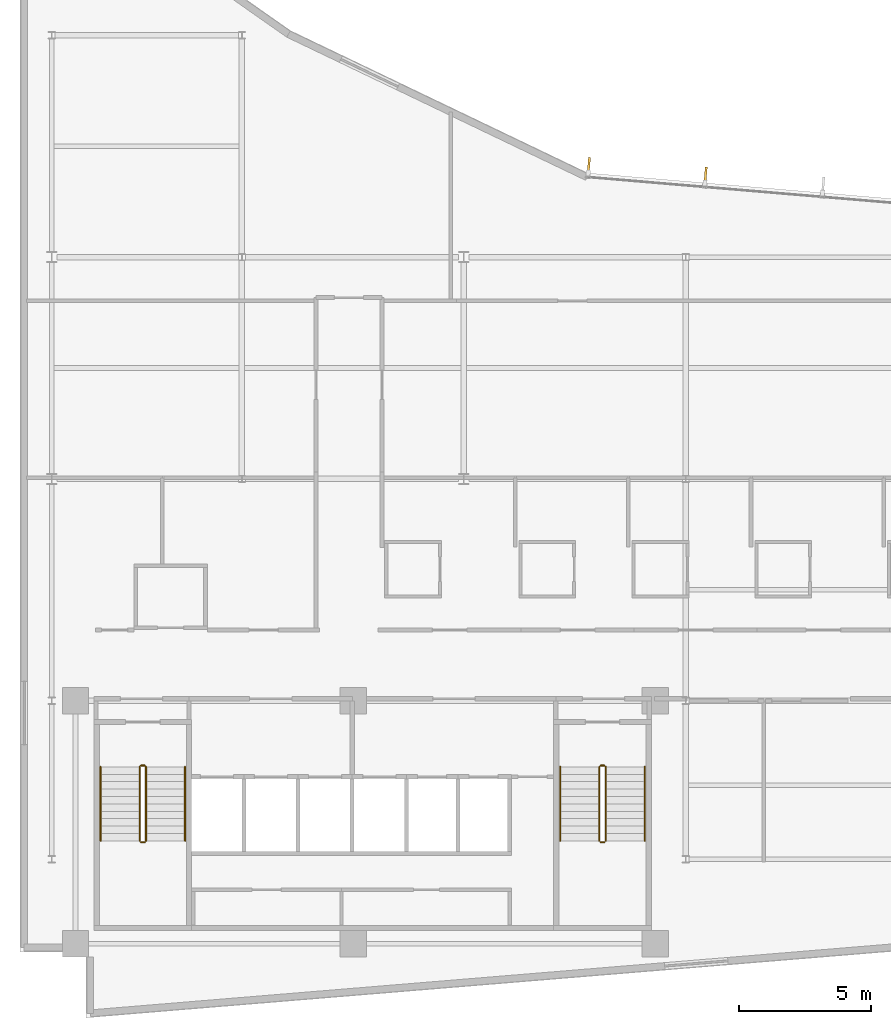
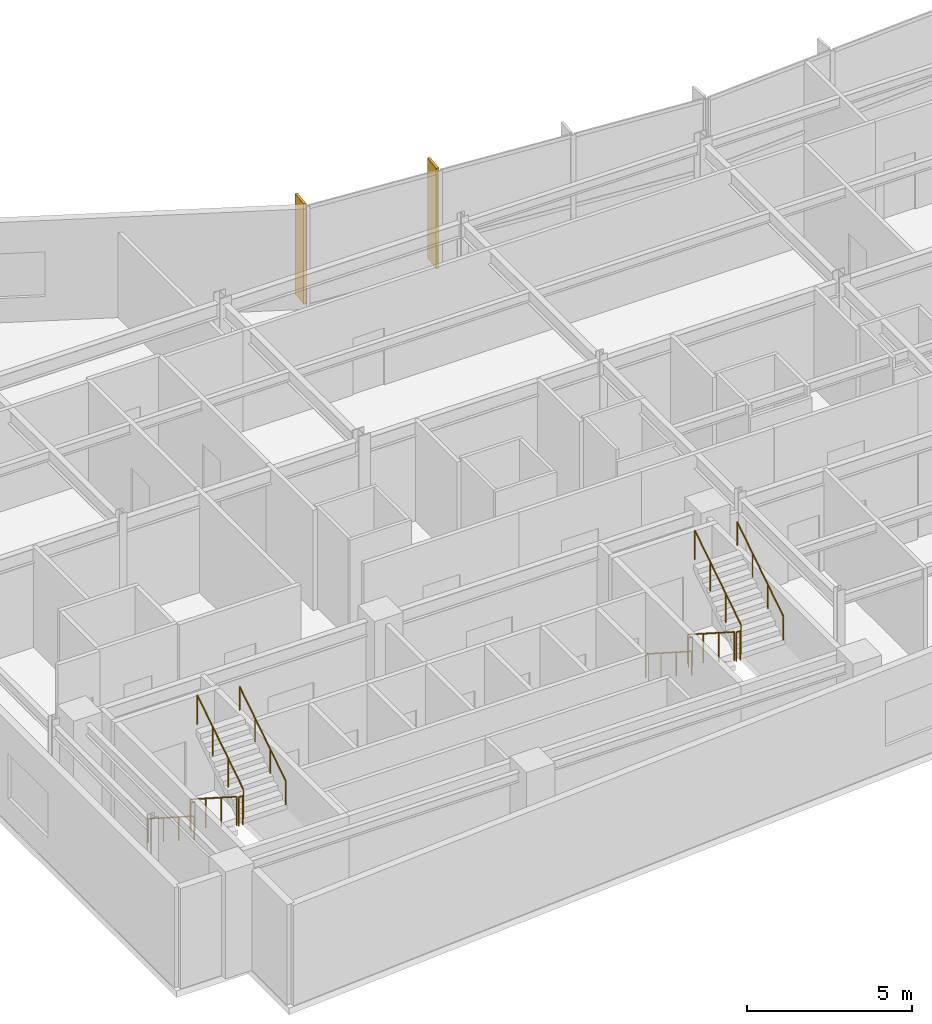
# One storey, part 13 of 15: 12 railings, 2 shading devices.
"""IFC4 building model written with IfcOpenShell, lengths in metres."""

from ifc_helpers import new_model, si_unit, direction, frame, origin, origin_2d, place, context, subcontext, project, spatial, rectangle, circle, extrude, material, layer, layer_set, type_object, element, save


model = new_model("IFC4")

# Units and contexts
model_context = context("Model", 3, precision=1e-05, world=origin(), true_north=direction((0.0, 1.0)))
body_context = subcontext(model_context, "Body", "Model", "MODEL_VIEW")
ifc_project = project(units=[si_unit("LENGTHUNIT", "METRE"), si_unit("AREAUNIT", "SQUARE_METRE"), si_unit("VOLUMEUNIT", "CUBIC_METRE"), si_unit("PLANEANGLEUNIT", "RADIAN"), si_unit("MASSUNIT", "GRAM", prefix="KILO")], contexts=[model_context])

# Site, building, storey
site_placement = place(None, origin())
site = spatial("IfcSite", under=ifc_project, at=site_placement, CompositionType="ELEMENT")
building_placement = place(site_placement, origin())
building = spatial("IfcBuilding", under=site, at=building_placement, Name="Varnakote Quay Hospital", CompositionType="ELEMENT")
storey_placement = place(building_placement, frame((0.0, 0.0, 192.10009765625)))
storey = spatial("IfcBuildingStorey", under=building, at=storey_placement, Name="L47", CompositionType="ELEMENT", Elevation=192.10009765625)

# Railings
ifc_material_1 = material(Name="Brushed stainless steel balustrade", Category="steel")
railing_type_1 = type_object("IfcRailingType", Name="RLG-STAIR-GUARD-1150", PredefinedType="GUARDRAIL", material=ifc_material_1)
railing_1_placement = place(storey_placement, frame((4.530029296875, 9.5, 0.179443359375)))
element("IfcRailing", 1, at=railing_1_placement, inside=storey, type_object=railing_type_1, Name="L47 ST-01 stair guard 1", PredefinedType="GUARDRAIL", context=body_context, shape_type="SweptSolid", body=[
    extrude(circle(Radius=0.02392578125, at=origin_2d()), frame((0.0, 0.0, 1.076171875), z_axis=(0.0, -0.841809871826, 0.539774156196), x_axis=(1.0, 0.0, 0.0)), (0.0, 0.0, 1.0), 3.326171875),
    extrude(circle(Radius=0.02099609375, at=origin_2d()), origin(), (0.0, 0.0, 1.0), 1.052001953125),
    extrude(circle(Radius=0.02099609375, at=origin_2d()), frame((0.0, -0.933349609375, 0.598388671875)), (0.0, 0.0, 1.0), 1.052001953125),
    extrude(circle(Radius=0.02099609375, at=origin_2d()), frame((0.0, -1.86669921875, 1.197021484375)), (0.0, 0.0, 1.0), 1.052001953125),
    extrude(circle(Radius=0.02099609375, at=origin_2d()), frame((0.0, -2.800048828125, 1.79541015625)), (0.0, 0.0, 1.0), 1.052001953125),
])
railing_2_placement = place(storey_placement, frame((4.580078125, 6.64990234375, 1.974853515625)))
element("IfcRailing", 2, at=railing_2_placement, inside=storey, type_object=railing_type_1, Name="L47 ST-01 stair guard 2", PredefinedType="GUARDRAIL", context=body_context, shape_type="SweptSolid", body=[
    extrude(circle(Radius=0.02392578125, at=origin_2d()), frame((0.0, 0.0, 1.076171875), z_axis=(1.0, 0.0, 0.0), x_axis=(0.0, 1.0, 0.0)), (0.0, 0.0, 1.0), 0.139892578125),
    extrude(circle(Radius=0.02099609375, at=origin_2d()), origin(), (0.0, 0.0, 1.0), 1.052001953125),
    extrude(circle(Radius=0.02099609375, at=origin_2d()), frame((0.139892578125, 0.0, 0.0)), (0.0, 0.0, 1.0), 1.052001953125),
])
railing_3_placement = place(storey_placement, frame((4.77001953125, 6.699951171875, 2.154541015625)))
element("IfcRailing", 3, at=railing_3_placement, inside=storey, type_object=railing_type_1, Name="L47 ST-01 stair guard 3", PredefinedType="GUARDRAIL", context=body_context, shape_type="SweptSolid", body=[
    extrude(circle(Radius=0.02392578125, at=origin_2d()), frame((0.0, 0.0, 1.076171875), z_axis=(0.0, 0.841809871826, 0.539774156196), x_axis=(-1.0, 0.0, 0.0)), (0.0, 0.0, 1.0), 3.326171875),
    extrude(circle(Radius=0.02099609375, at=origin_2d()), origin(), (0.0, 0.0, 1.0), 1.052001953125),
    extrude(circle(Radius=0.02099609375, at=origin_2d()), frame((0.0, 0.933349609375, 0.598388671875)), (0.0, 0.0, 1.0), 1.052001953125),
    extrude(circle(Radius=0.02099609375, at=origin_2d()), frame((0.0, 1.86669921875, 1.197021484375)), (0.0, 0.0, 1.0), 1.052001953125),
    extrude(circle(Radius=0.02099609375, at=origin_2d()), frame((0.0, 2.800048828125, 1.79541015625)), (0.0, 0.0, 1.0), 1.052001953125),
])
railing_4_placement = place(storey_placement, frame((4.580078125, 9.550048828125, 0.0)))
element("IfcRailing", 4, at=railing_4_placement, inside=storey, type_object=railing_type_1, Name="L47 ST-01 stair guard 4", PredefinedType="GUARDRAIL", context=body_context, shape_type="SweptSolid", body=[
    extrude(circle(Radius=0.02392578125, at=origin_2d()), frame((0.0, 0.0, 1.076171875), z_axis=(1.0, 0.0, 0.0), x_axis=(0.0, 1.0, 0.0)), (0.0, 0.0, 1.0), 0.139892578125),
    extrude(circle(Radius=0.02099609375, at=origin_2d()), origin(), (0.0, 0.0, 1.0), 1.052001953125),
    extrude(circle(Radius=0.02099609375, at=origin_2d()), frame((0.139892578125, 0.0, 0.0)), (0.0, 0.0, 1.0), 1.052001953125),
])
railing_5_placement = place(storey_placement, frame((21.929931640625, 9.5, 0.179443359375)))
element("IfcRailing", 5, at=railing_5_placement, inside=storey, type_object=railing_type_1, Name="L47 ST-02 stair guard 1", PredefinedType="GUARDRAIL", context=body_context, shape_type="SweptSolid", body=[
    extrude(circle(Radius=0.02392578125, at=origin_2d()), frame((0.0, 0.0, 1.076171875), z_axis=(0.0, -0.841809871826, 0.539774156196), x_axis=(1.0, 0.0, 0.0)), (0.0, 0.0, 1.0), 3.326171875),
    extrude(circle(Radius=0.02099609375, at=origin_2d()), origin(), (0.0, 0.0, 1.0), 1.052001953125),
    extrude(circle(Radius=0.02099609375, at=origin_2d()), frame((0.0, -0.933349609375, 0.598388671875)), (0.0, 0.0, 1.0), 1.052001953125),
    extrude(circle(Radius=0.02099609375, at=origin_2d()), frame((0.0, -1.86669921875, 1.197021484375)), (0.0, 0.0, 1.0), 1.052001953125),
    extrude(circle(Radius=0.02099609375, at=origin_2d()), frame((0.0, -2.800048828125, 1.79541015625)), (0.0, 0.0, 1.0), 1.052001953125),
])
railing_6_placement = place(storey_placement, frame((21.97998046875, 6.64990234375, 1.974853515625)))
element("IfcRailing", 6, at=railing_6_placement, inside=storey, type_object=railing_type_1, Name="L47 ST-02 stair guard 2", PredefinedType="GUARDRAIL", context=body_context, shape_type="SweptSolid", body=[
    extrude(circle(Radius=0.02392578125, at=origin_2d()), frame((0.0, 0.0, 1.076171875), z_axis=(1.0, 0.0, 0.0), x_axis=(0.0, 1.0, 0.0)), (0.0, 0.0, 1.0), 0.14013671875),
    extrude(circle(Radius=0.02099609375, at=origin_2d()), origin(), (0.0, 0.0, 1.0), 1.052001953125),
    extrude(circle(Radius=0.02099609375, at=origin_2d()), frame((0.14013671875, 0.0, 0.0)), (0.0, 0.0, 1.0), 1.052001953125),
])
railing_7_placement = place(storey_placement, frame((22.169921875, 6.699951171875, 2.154541015625)))
element("IfcRailing", 7, at=railing_7_placement, inside=storey, type_object=railing_type_1, Name="L47 ST-02 stair guard 3", PredefinedType="GUARDRAIL", context=body_context, shape_type="SweptSolid", body=[
    extrude(circle(Radius=0.02392578125, at=origin_2d()), frame((0.0, 0.0, 1.076171875), z_axis=(0.0, 0.841809871826, 0.539774156196), x_axis=(-1.0, 0.0, 0.0)), (0.0, 0.0, 1.0), 3.326171875),
    extrude(circle(Radius=0.02099609375, at=origin_2d()), origin(), (0.0, 0.0, 1.0), 1.052001953125),
    extrude(circle(Radius=0.02099609375, at=origin_2d()), frame((0.0, 0.933349609375, 0.598388671875)), (0.0, 0.0, 1.0), 1.052001953125),
    extrude(circle(Radius=0.02099609375, at=origin_2d()), frame((0.0, 1.86669921875, 1.197021484375)), (0.0, 0.0, 1.0), 1.052001953125),
    extrude(circle(Radius=0.02099609375, at=origin_2d()), frame((0.0, 2.800048828125, 1.79541015625)), (0.0, 0.0, 1.0), 1.052001953125),
])
railing_8_placement = place(storey_placement, frame((21.97998046875, 9.550048828125, 0.0)))
element("IfcRailing", 8, at=railing_8_placement, inside=storey, type_object=railing_type_1, Name="L47 ST-02 stair guard 4", PredefinedType="GUARDRAIL", context=body_context, shape_type="SweptSolid", body=[
    extrude(circle(Radius=0.02392578125, at=origin_2d()), frame((0.0, 0.0, 1.076171875), z_axis=(1.0, 0.0, 0.0), x_axis=(0.0, 1.0, 0.0)), (0.0, 0.0, 1.0), 0.14013671875),
    extrude(circle(Radius=0.02099609375, at=origin_2d()), origin(), (0.0, 0.0, 1.0), 1.052001953125),
    extrude(circle(Radius=0.02099609375, at=origin_2d()), frame((0.14013671875, 0.0, 0.0)), (0.0, 0.0, 1.0), 1.052001953125),
])
ifc_material_2 = material(Name="Brushed stainless steel handrail", Category="steel")
railing_type_2 = type_object("IfcRailingType", Name="RLG-STAIR-HND-920", PredefinedType="HANDRAIL", material=ifc_material_2)
railing_9_placement = place(storey_placement, frame((3.050048828125, 9.5, 0.179443359375)))
element("IfcRailing", 9, at=railing_9_placement, inside=storey, type_object=railing_type_2, Name="L47 ST-01 stair handrail 1", PredefinedType="HANDRAIL", context=body_context, shape_type="SweptSolid", body=[
    extrude(circle(Radius=0.02392578125, at=origin_2d()), frame((0.0, 0.0, 0.8759765625), z_axis=(0.0, -0.841809871826, 0.539774156196), x_axis=(1.0, 0.0, 0.0)), (0.0, 0.0, 1.0), 3.326171875),
    extrude(circle(Radius=0.02099609375, at=origin_2d()), origin(), (0.0, 0.0, 1.0), 0.851806640625),
    extrude(circle(Radius=0.02099609375, at=origin_2d()), frame((0.0, -0.933349609375, 0.598388671875)), (0.0, 0.0, 1.0), 0.851806640625),
    extrude(circle(Radius=0.02099609375, at=origin_2d()), frame((0.0, -1.86669921875, 1.197021484375)), (0.0, 0.0, 1.0), 0.851806640625),
    extrude(circle(Radius=0.02099609375, at=origin_2d()), frame((0.0, -2.800048828125, 1.79541015625)), (0.0, 0.0, 1.0), 0.851806640625),
])
railing_10_placement = place(storey_placement, frame((6.25, 6.699951171875, 2.154541015625)))
element("IfcRailing", 10, at=railing_10_placement, inside=storey, type_object=railing_type_2, Name="L47 ST-01 stair handrail 2", PredefinedType="HANDRAIL", context=body_context, shape_type="SweptSolid", body=[
    extrude(circle(Radius=0.02392578125, at=origin_2d()), frame((0.0, 0.0, 0.8759765625), z_axis=(0.0, 0.841809871826, 0.539774156196), x_axis=(-1.0, 0.0, 0.0)), (0.0, 0.0, 1.0), 3.326171875),
    extrude(circle(Radius=0.02099609375, at=origin_2d()), origin(), (0.0, 0.0, 1.0), 0.851806640625),
    extrude(circle(Radius=0.02099609375, at=origin_2d()), frame((0.0, 0.933349609375, 0.598388671875)), (0.0, 0.0, 1.0), 0.851806640625),
    extrude(circle(Radius=0.02099609375, at=origin_2d()), frame((0.0, 1.86669921875, 1.197021484375)), (0.0, 0.0, 1.0), 0.851806640625),
    extrude(circle(Radius=0.02099609375, at=origin_2d()), frame((0.0, 2.800048828125, 1.79541015625)), (0.0, 0.0, 1.0), 0.851806640625),
])
railing_11_placement = place(storey_placement, frame((20.449951171875, 9.5, 0.179443359375)))
element("IfcRailing", 11, at=railing_11_placement, inside=storey, type_object=railing_type_2, Name="L47 ST-02 stair handrail 1", PredefinedType="HANDRAIL", context=body_context, shape_type="SweptSolid", body=[
    extrude(circle(Radius=0.02392578125, at=origin_2d()), frame((0.0, 0.0, 0.8759765625), z_axis=(0.0, -0.841809871826, 0.539774156196), x_axis=(1.0, 0.0, 0.0)), (0.0, 0.0, 1.0), 3.326171875),
    extrude(circle(Radius=0.02099609375, at=origin_2d()), origin(), (0.0, 0.0, 1.0), 0.851806640625),
    extrude(circle(Radius=0.02099609375, at=origin_2d()), frame((0.0, -0.933349609375, 0.598388671875)), (0.0, 0.0, 1.0), 0.851806640625),
    extrude(circle(Radius=0.02099609375, at=origin_2d()), frame((0.0, -1.86669921875, 1.197021484375)), (0.0, 0.0, 1.0), 0.851806640625),
    extrude(circle(Radius=0.02099609375, at=origin_2d()), frame((0.0, -2.800048828125, 1.79541015625)), (0.0, 0.0, 1.0), 0.851806640625),
])
railing_12_placement = place(storey_placement, frame((23.64990234375, 6.699951171875, 2.154541015625)))
element("IfcRailing", 12, at=railing_12_placement, inside=storey, type_object=railing_type_2, Name="L47 ST-02 stair handrail 2", PredefinedType="HANDRAIL", context=body_context, shape_type="SweptSolid", body=[
    extrude(circle(Radius=0.02392578125, at=origin_2d()), frame((0.0, 0.0, 0.8759765625), z_axis=(0.0, 0.841809871826, 0.539774156196), x_axis=(-1.0, 0.0, 0.0)), (0.0, 0.0, 1.0), 3.326171875),
    extrude(circle(Radius=0.02099609375, at=origin_2d()), origin(), (0.0, 0.0, 1.0), 0.851806640625),
    extrude(circle(Radius=0.02099609375, at=origin_2d()), frame((0.0, 0.933349609375, 0.598388671875)), (0.0, 0.0, 1.0), 0.851806640625),
    extrude(circle(Radius=0.02099609375, at=origin_2d()), frame((0.0, 1.86669921875, 1.197021484375)), (0.0, 0.0, 1.0), 0.851806640625),
    extrude(circle(Radius=0.02099609375, at=origin_2d()), frame((0.0, 2.800048828125, 1.79541015625)), (0.0, 0.0, 1.0), 0.851806640625),
])

# Shading devices
ifc_material_3 = material(Name="Anodised aluminium 6063-T6 Bronze", Category="aluminium")
ifc_layer = layer(ifc_material_3, 0.0849609375)
ifc_layer_set = layer_set([ifc_layer], Name="Anodised aluminium 6063-T6 Bronze")
shading_device_type = type_object("IfcShadingDeviceType", Name="SHD-BRONZE-FIN-620", PredefinedType="USERDEFINED", material=ifc_layer_set)
for number, where, z_axis, x_axis, name in (
    (13, (25.9501953125, 31.8955078125, 0.0), (0.0, 0.0, 1.0), (-0.084199594279, -0.996448909038, 0.0), "L47 Anodised Bronze Vertical Shading FIN"),
    (14, (21.531494140625, 32.268798828125, 0.0), (0.0, 0.0, 1.0), (-0.084199594279, -0.996448909038, 0.0), "L47 Anodised Bronze Vertical Shading FIN"),
):
    element("IfcShadingDevice", number, at=place(storey_placement, frame(where, z_axis=z_axis, x_axis=x_axis)), inside=storey, type_object=shading_device_type, Name=name, ObjectType="FIN", PredefinedType="USERDEFINED", context=body_context, shape_type="SweptSolid", body=[
        extrude(rectangle(XDim=0.6201171875, YDim=0.0849609375, at=origin_2d()), origin(), (0.0, 0.0, 1.0), 3.7099609375),
    ])

save(model, "model.ifc")
